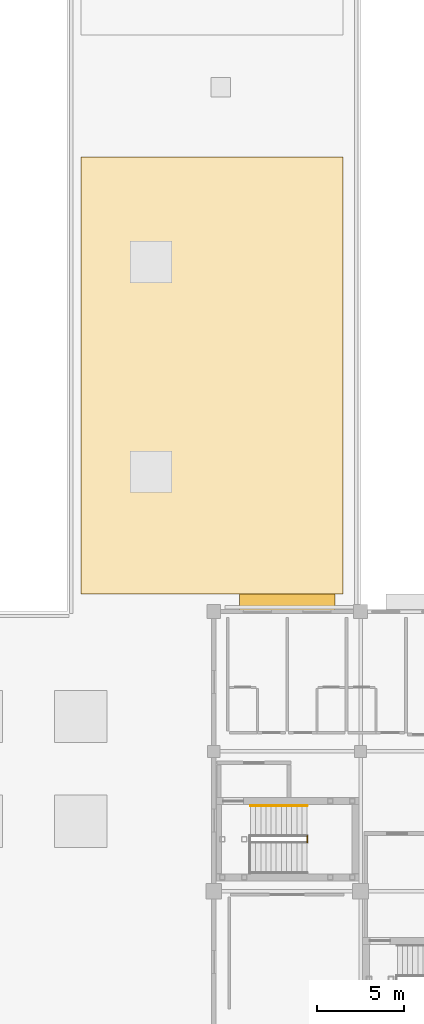
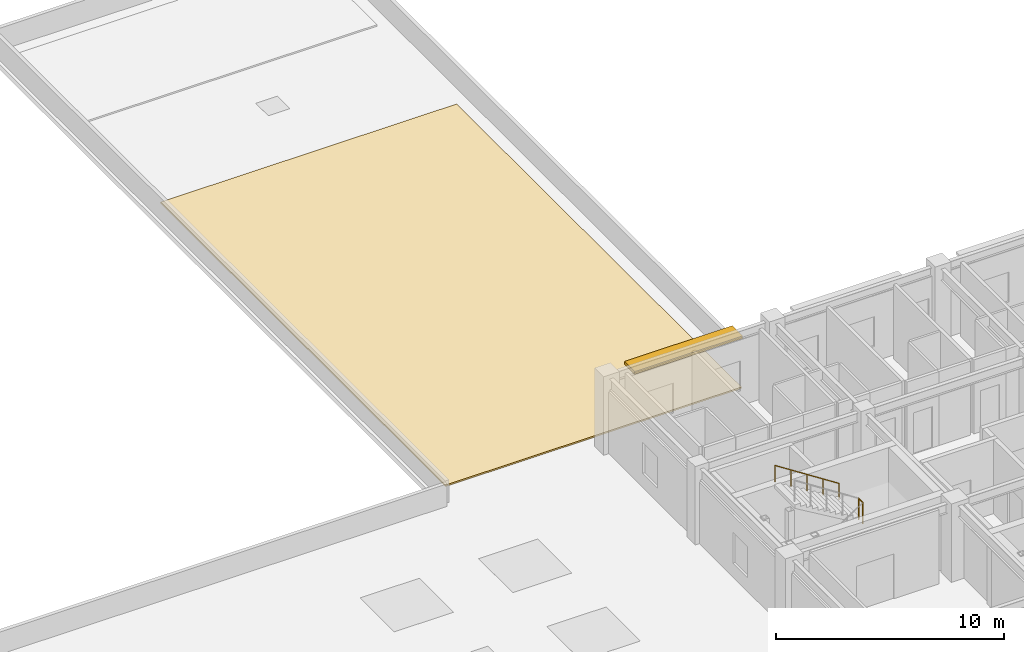
# One storey, part 19 of 22: 2 railings, 1 covering, 1 shading device.
"""IFC4 building model written with IfcOpenShell, lengths in metres."""

from ifc_helpers import new_model, si_unit, direction, frame, origin, origin_2d, place, context, subcontext, project, spatial, polyline, rectangle, circle, outline, extrude, material, layer, layer_set, type_object, element, save


model = new_model("IFC4")

# Units and contexts
model_context = context("Model", 3, precision=1e-05, world=origin(), true_north=direction((0.0, 1.0)))
body_context = subcontext(model_context, "Body", "Model", "MODEL_VIEW")
ifc_project = project(units=[si_unit("LENGTHUNIT", "METRE"), si_unit("AREAUNIT", "SQUARE_METRE"), si_unit("VOLUMEUNIT", "CUBIC_METRE"), si_unit("PLANEANGLEUNIT", "RADIAN"), si_unit("MASSUNIT", "GRAM", prefix="KILO")], contexts=[model_context])

# Site, building, storey
site_placement = place(None, origin())
site = spatial("IfcSite", under=ifc_project, at=site_placement, CompositionType="ELEMENT")
building_placement = place(site_placement, origin())
building = spatial("IfcBuilding", under=site, at=building_placement, Name="Naruveol Harbour Congress Hotel", CompositionType="ELEMENT")
storey_placement = place(building_placement, frame((0.0, 0.0, 21.0)))
storey = spatial("IfcBuildingStorey", under=building, at=storey_placement, Name="L04", CompositionType="ELEMENT", Elevation=21.0)

# Covering
ifc_material_1 = material(Name="TPO Waterproofing & Mineral Insulation", Category="insulation")
ifc_layer_1 = layer(ifc_material_1, 0.080078125)
ifc_layer_set_1 = layer_set([ifc_layer_1], Name="TPO Waterproofing & Mineral Insulation")
covering_type = type_object("IfcCoveringType", Name="INSULATED MEMBRANE ROOFING SYSTEM 80", PredefinedType="ROOFING", material=ifc_layer_set_1)
covering_placement = place(storey_placement, origin())
element("IfcCovering", 1, at=covering_placement, inside=storey, type_object=covering_type, Name="Insulated roof membrane covering #5", PredefinedType="ROOFING", context=body_context, shape_type="SweptSolid", body=[
    extrude(outline(polyline([(110.0, 33.0), (125.0, 33.0), (125.0, 58.0), (110.0, 58.0), (110.0, 33.0)])), origin(), (0.0, 0.0, 1.0), 0.080078125),
])

# Shading device
ifc_material_2 = material(Name="Precast concrete C40/50", Category="concrete")
ifc_layer_2 = layer(ifc_material_2, 0.139892578125)
ifc_layer_set_2 = layer_set([ifc_layer_2], Name="Precast concrete C40/50")
shading_device_type = type_object("IfcShadingDeviceType", Name="PRECAST COBOGO PERFORATED SUNSHADE CANOPY", PredefinedType="AWNING", material=ifc_layer_set_2)
shading_device_placement = place(storey_placement, frame((121.800048828125, 32.550048828125, 3.39013671875), z_axis=(0.0, 0.0, 1.0), x_axis=(1.0, 0.0, 0.0)))
element("IfcShadingDevice", 2, at=shading_device_placement, inside=storey, type_object=shading_device_type, Name="Precast cobogo sunshade CB-A900 #3", PredefinedType="AWNING", context=body_context, shape_type="SweptSolid", body=[
    extrude(rectangle(XDim=5.469970703125, YDim=0.89990234375, at=origin_2d()), origin(), (0.0, 0.0, 1.0), 0.139892578125),
])

# Railings
ifc_material_3 = material(Name="Stainless Steel 304", Category="steel")
ifc_layer_3 = layer(ifc_material_3, 0.0419921875)
ifc_layer_set_3 = layer_set([ifc_layer_3], Name="Stainless Steel 304")
railing_type_1 = type_object("IfcRailingType", Name="STAIR WALL MOUNTED HANDRAIL 900", PredefinedType="HANDRAIL", material=ifc_layer_set_3)
railing_1_placement = place(storey_placement, frame((122.945068359375, 20.89990234375, 2.10009765625)))
element("IfcRailing", 3, at=railing_1_placement, inside=storey, type_object=railing_type_1, Name="Stair ST3 L04 upper wall handrail", PredefinedType="HANDRAIL", context=body_context, shape_type="SweptSolid", body=[
    extrude(circle(Radius=0.02392578125, at=origin_2d()), frame((0.0, 0.0, 0.8759765625), z_axis=(-0.839561683974, 0.0, 0.543264372845), x_axis=(0.0, -1.0, 0.0)), (0.0, 0.0, 1.0), 3.865234375),
    extrude(circle(Radius=0.02099609375, at=origin_2d()), origin(), (0.0, 0.0, 1.0), 0.851806640625),
    extrude(circle(Radius=0.02099609375, at=origin_2d()), frame((-0.811279296875, 0.0, 0.52490234375)), (0.0, 0.0, 1.0), 0.851806640625),
    extrude(circle(Radius=0.02099609375, at=origin_2d()), frame((-1.62255859375, 0.0, 1.0498046875)), (0.0, 0.0, 1.0), 0.851806640625),
    extrude(circle(Radius=0.02099609375, at=origin_2d()), frame((-2.433837890625, 0.0, 1.574951171875)), (0.0, 0.0, 1.0), 0.851806640625),
    extrude(circle(Radius=0.02099609375, at=origin_2d()), frame((-3.2451171875, 0.0, 2.099853515625)), (0.0, 0.0, 1.0), 0.851806640625),
])
ifc_material_4 = material(Name="Steel SN490", Category="steel")
ifc_layer_4 = layer(ifc_material_4, 0.044921875)
ifc_layer_set_4 = layer_set([ifc_layer_4], Name="Steel SN490")
railing_type_2 = type_object("IfcRailingType", Name="STAIRWELL STEEL GUARDRAIL 1150", PredefinedType="GUARDRAIL", material=ifc_layer_set_4)
railing_2_placement = place(storey_placement, frame((122.945068359375, 18.7900390625, 2.10009765625)))
element("IfcRailing", 4, at=railing_2_placement, inside=storey, type_object=railing_type_2, Name="Stair ST3 L04 half-landing slot guard", PredefinedType="GUARDRAIL", context=body_context, shape_type="SweptSolid", body=[
    extrude(circle(Radius=0.02392578125, at=origin_2d()), frame((0.0, 0.0, 1.1259765625), z_axis=(0.0, 1.0, 0.0), x_axis=(-1.0, 0.0, 0.0)), (0.0, 0.0, 1.0), 0.3798828125),
    extrude(circle(Radius=0.02099609375, at=origin_2d()), origin(), (0.0, 0.0, 1.0), 1.101806640625),
    extrude(circle(Radius=0.02099609375, at=origin_2d()), frame((0.0, 0.3798828125, 0.0)), (0.0, 0.0, 1.0), 1.101806640625),
])

save(model, "model.ifc")
